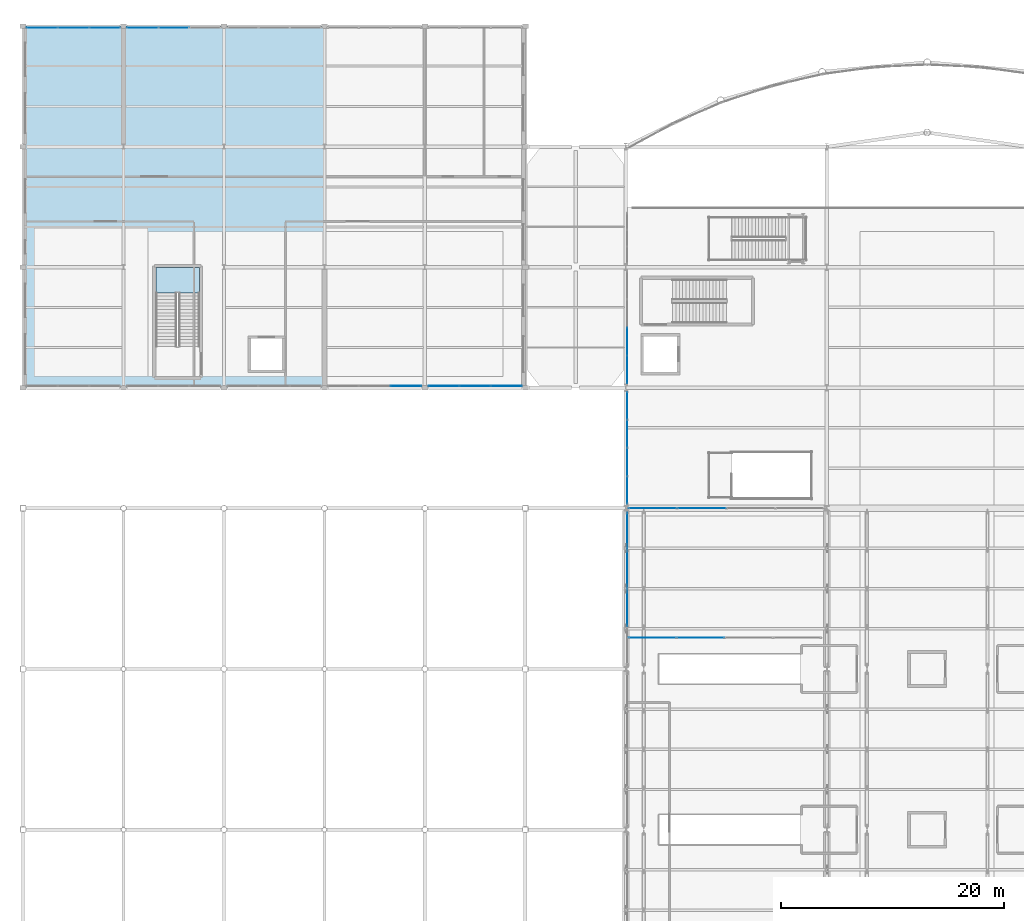
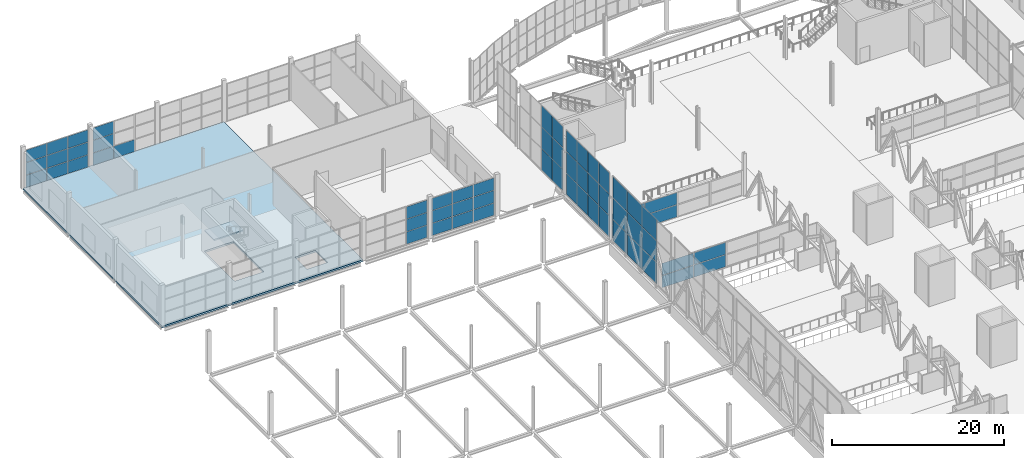
# One storey, part 152 of 191: 60 plates, 2 slabs, 10 elements without a shape of their own.
"""IFC4 building model written with IfcOpenShell, lengths in metres."""

from ifc_helpers import new_model, si_unit, direction, frame, origin, origin_2d, place, context, subcontext, project, spatial, polyline, rectangle, outline, extrude, material, layer, layer_set, type_object, element, aggregate, save


model = new_model("IFC4")

# Units and contexts
model_context = context("Model", 3, precision=1e-05, world=origin(), true_north=direction((0.0, 1.0)))
body_context = subcontext(model_context, "Body", "Model", "MODEL_VIEW")
ifc_project = project(units=[si_unit("LENGTHUNIT", "METRE"), si_unit("AREAUNIT", "SQUARE_METRE"), si_unit("VOLUMEUNIT", "CUBIC_METRE"), si_unit("PLANEANGLEUNIT", "RADIAN"), si_unit("MASSUNIT", "GRAM", prefix="KILO")], contexts=[model_context])

# Site, building, storey
site_placement = place(None, origin())
site = spatial("IfcSite", under=ifc_project, at=site_placement, CompositionType="ELEMENT")
building_placement = place(site_placement, origin())
building = spatial("IfcBuilding", under=site, at=building_placement, Name="Tamarisk Ironworks Central Station", CompositionType="ELEMENT")
storey_placement = place(building_placement, frame((0.0, 0.0, 6.60009765625)))
storey = spatial("IfcBuildingStorey", under=building, at=storey_placement, Name="L01", CompositionType="ELEMENT", Elevation=6.60009765625)

# Curtain wall, plates
ifc_material_1 = material(Name="Anodized aluminium alloy 6063-T6", Category="aluminium")
ifc_layer_1 = layer(ifc_material_1, 0.179931640625)
ifc_layer_set_1 = layer_set([ifc_layer_1], Name="Anodized aluminium alloy 6063-T6")
curtain_wall_type_1 = type_object("IfcCurtainWallType", Name="CW-24", PredefinedType="USERDEFINED", material=ifc_layer_set_1)
curtain_wall_1_placement = place(storey_placement, origin())
curtain_wall_1 = element("IfcCurtainWall", 1, at=curtain_wall_1_placement, inside=storey, type_object=curtain_wall_type_1, Name="North bridge west glazed acoustic screen", ObjectType="GLAZED CURTAIN WALL", PredefinedType="USERDEFINED")
ifc_material_2 = material(Name="Laminated solar-control low-E glass", Category="glass")
ifc_layer_2 = layer(ifc_material_2, 0.02001953125)
ifc_layer_set_2 = layer_set([ifc_layer_2], Name="Laminated solar-control low-E glass")
plate_type_1 = type_object("IfcPlateType", Name="PL-CWP20", PredefinedType="CURTAIN_PANEL", material=ifc_layer_set_2)
plate_1_placement = place(storey_placement, frame((56.41943359375, 79.199951171875, 0.06884765625), z_axis=(0.0, 0.0, 1.0), x_axis=(1.0, 0.0, 0.0)))
plate_1 = element("IfcPlate", 2, at=plate_1_placement, type_object=plate_type_1, Name="CW24 panel 1.1", PredefinedType="CURTAIN_PANEL", context=body_context, shape_type="SweptSolid", body=[
    extrude(rectangle(XDim=4.299072265625, YDim=0.02001953125, at=origin_2d()), origin(), (0.0, 0.0, 1.0), 1.699462890625),
])
plate_2_placement = place(storey_placement, frame((56.41943359375, 79.199951171875, 1.83154296875), z_axis=(0.0, 0.0, 1.0), x_axis=(1.0, 0.0, 0.0)))
plate_2 = element("IfcPlate", 3, at=plate_2_placement, type_object=plate_type_1, Name="CW24 panel 1.2", PredefinedType="CURTAIN_PANEL", context=body_context, shape_type="SweptSolid", body=[
    extrude(rectangle(XDim=4.299072265625, YDim=0.02001953125, at=origin_2d()), origin(), (0.0, 0.0, 1.0), 1.699462890625),
])
plate_3_placement = place(storey_placement, frame((60.80029296875, 79.199951171875, 0.06884765625), z_axis=(0.0, 0.0, 1.0), x_axis=(1.0, 0.0, 0.0)))
plate_3 = element("IfcPlate", 4, at=plate_3_placement, type_object=plate_type_1, Name="CW24 panel 2.1", PredefinedType="CURTAIN_PANEL", context=body_context, shape_type="SweptSolid", body=[
    extrude(rectangle(XDim=4.33642578125, YDim=0.02001953125, at=origin_2d()), origin(), (0.0, 0.0, 1.0), 1.699462890625),
])
plate_4_placement = place(storey_placement, frame((60.80029296875, 79.199951171875, 1.83154296875), z_axis=(0.0, 0.0, 1.0), x_axis=(1.0, 0.0, 0.0)))
plate_4 = element("IfcPlate", 5, at=plate_4_placement, type_object=plate_type_1, Name="CW24 panel 2.2", PredefinedType="CURTAIN_PANEL", context=body_context, shape_type="SweptSolid", body=[
    extrude(rectangle(XDim=4.33642578125, YDim=0.02001953125, at=origin_2d()), origin(), (0.0, 0.0, 1.0), 1.699462890625),
])
aggregate(curtain_wall_1, [plate_1, plate_2, plate_3, plate_4])

curtain_wall_2_placement = place(storey_placement, origin())
curtain_wall_2 = element("IfcCurtainWall", 6, at=curtain_wall_2_placement, inside=storey, type_object=curtain_wall_type_1, Name="North bridge trackside west glazed screen", ObjectType="GLAZED CURTAIN WALL", PredefinedType="USERDEFINED")
plate_5_placement = place(storey_placement, frame((56.38818359375, 67.60009765625, 0.06884765625), z_axis=(0.0, 0.0, 1.0), x_axis=(1.0, 0.0, 0.0)))
plate_5 = element("IfcPlate", 7, at=plate_5_placement, type_object=plate_type_1, Name="CW24 panel 1.1", PredefinedType="CURTAIN_PANEL", context=body_context, shape_type="SweptSolid", body=[
    extrude(rectangle(XDim=4.222412109375, YDim=0.02001953125, at=origin_2d()), origin(), (0.0, 0.0, 1.0), 1.699462890625),
])
plate_6_placement = place(storey_placement, frame((56.38818359375, 67.60009765625, 1.83154296875), z_axis=(0.0, 0.0, 1.0), x_axis=(1.0, 0.0, 0.0)))
plate_6 = element("IfcPlate", 8, at=plate_6_placement, type_object=plate_type_1, Name="CW24 panel 1.2", PredefinedType="CURTAIN_PANEL", context=body_context, shape_type="SweptSolid", body=[
    extrude(rectangle(XDim=4.222412109375, YDim=0.02001953125, at=origin_2d()), origin(), (0.0, 0.0, 1.0), 1.699462890625),
])
plate_7_placement = place(storey_placement, frame((60.6923828125, 67.60009765625, 0.06884765625), z_axis=(0.0, 0.0, 1.0), x_axis=(1.0, 0.0, 0.0)))
plate_7 = element("IfcPlate", 9, at=plate_7_placement, type_object=plate_type_1, Name="CW24 panel 2.1", PredefinedType="CURTAIN_PANEL", context=body_context, shape_type="SweptSolid", body=[
    extrude(rectangle(XDim=4.260009765625, YDim=0.02001953125, at=origin_2d()), origin(), (0.0, 0.0, 1.0), 1.699462890625),
])
plate_8_placement = place(storey_placement, frame((60.6923828125, 67.60009765625, 1.83154296875), z_axis=(0.0, 0.0, 1.0), x_axis=(1.0, 0.0, 0.0)))
plate_8 = element("IfcPlate", 10, at=plate_8_placement, type_object=plate_type_1, Name="CW24 panel 2.2", PredefinedType="CURTAIN_PANEL", context=body_context, shape_type="SweptSolid", body=[
    extrude(rectangle(XDim=4.260009765625, YDim=0.02001953125, at=origin_2d()), origin(), (0.0, 0.0, 1.0), 1.699462890625),
])
aggregate(curtain_wall_2, [plate_5, plate_6, plate_7, plate_8])

ifc_layer_3 = layer(ifc_material_1, 0.179931640625)
ifc_layer_set_3 = layer_set([ifc_layer_3], Name="Anodized aluminium alloy 6063-T6")
curtain_wall_type_2 = type_object("IfcCurtainWallType", Name="CW-08", PredefinedType="USERDEFINED", material=ifc_layer_set_3)
curtain_wall_3_placement = place(storey_placement, origin())
curtain_wall_3 = element("IfcCurtainWall", 11, at=curtain_wall_3_placement, inside=storey, type_object=curtain_wall_type_2, Name="Concourse W track-overlook curtain wall 07", ObjectType="GLAZED CURTAIN WALL", PredefinedType="USERDEFINED")
ifc_layer_4 = layer(ifc_material_1, 0.02392578125)
ifc_layer_set_4 = layer_set([ifc_layer_4], Name="Anodized aluminium alloy 6063-T6")
plate_type_2 = type_object("IfcPlateType", Name="PL-CWP24", PredefinedType="CURTAIN_PANEL", material=ifc_layer_set_4)
plate_9_placement = place(storey_placement, frame((54.1201171875, 91.62744140625, 0.0537109375), z_axis=(0.0, 0.0, 1.0), x_axis=(0.0, 1.0, 0.0)))
plate_9 = element("IfcPlate", 12, at=plate_9_placement, type_object=plate_type_2, Name="CW08 panel 1.1", PredefinedType="CURTAIN_PANEL", context=body_context, shape_type="SweptSolid", body=[
    extrude(rectangle(XDim=2.447021484375, YDim=0.02392578125, at=origin_2d()), origin(), (0.0, 0.0, 1.0), 2.995361328125),
])
plate_10_placement = place(storey_placement, frame((54.1201171875, 91.62744140625, 3.09716796875), z_axis=(0.0, 0.0, 1.0), x_axis=(0.0, 1.0, 0.0)))
plate_10 = element("IfcPlate", 13, at=plate_10_placement, type_object=plate_type_2, Name="CW08 panel 1.2", PredefinedType="CURTAIN_PANEL", context=body_context, shape_type="SweptSolid", body=[
    extrude(rectangle(XDim=2.447021484375, YDim=0.02392578125, at=origin_2d()), origin(), (0.0, 0.0, 1.0), 3.025390625),
])
plate_11_placement = place(storey_placement, frame((54.1201171875, 91.62744140625, 6.17041015625), z_axis=(0.0, 0.0, 1.0), x_axis=(0.0, 1.0, 0.0)))
plate_11 = element("IfcPlate", 14, at=plate_11_placement, type_object=plate_type_2, Name="CW08 panel 1.3", PredefinedType="CURTAIN_PANEL", context=body_context, shape_type="SweptSolid", body=[
    extrude(rectangle(XDim=2.447021484375, YDim=0.02392578125, at=origin_2d()), origin(), (0.0, 0.0, 1.0), 2.995361328125),
])
plate_12_placement = place(storey_placement, frame((54.1201171875, 94.137451171875, 0.0537109375), z_axis=(0.0, 0.0, 1.0), x_axis=(0.0, 1.0, 0.0)))
plate_12 = element("IfcPlate", 15, at=plate_12_placement, type_object=plate_type_2, Name="CW08 panel 2.1", PredefinedType="CURTAIN_PANEL", context=body_context, shape_type="SweptSolid", body=[
    extrude(rectangle(XDim=2.47705078125, YDim=0.02392578125, at=origin_2d()), origin(), (0.0, 0.0, 1.0), 2.995361328125),
])
plate_13_placement = place(storey_placement, frame((54.1201171875, 94.137451171875, 3.09716796875), z_axis=(0.0, 0.0, 1.0), x_axis=(0.0, 1.0, 0.0)))
plate_13 = element("IfcPlate", 16, at=plate_13_placement, type_object=plate_type_2, Name="CW08 panel 2.2", PredefinedType="CURTAIN_PANEL", context=body_context, shape_type="SweptSolid", body=[
    extrude(rectangle(XDim=2.47705078125, YDim=0.02392578125, at=origin_2d()), origin(), (0.0, 0.0, 1.0), 3.025390625),
])
plate_14_placement = place(storey_placement, frame((54.1201171875, 94.137451171875, 6.17041015625), z_axis=(0.0, 0.0, 1.0), x_axis=(0.0, 1.0, 0.0)))
plate_14 = element("IfcPlate", 17, at=plate_14_placement, type_object=plate_type_2, Name="CW08 panel 2.3", PredefinedType="CURTAIN_PANEL", context=body_context, shape_type="SweptSolid", body=[
    extrude(rectangle(XDim=2.47705078125, YDim=0.02392578125, at=origin_2d()), origin(), (0.0, 0.0, 1.0), 2.995361328125),
])
aggregate(curtain_wall_3, [plate_9, plate_10, plate_11, plate_12, plate_13, plate_14])

ifc_layer_5 = layer(ifc_material_1, 0.179931640625)
ifc_layer_set_5 = layer_set([ifc_layer_5], Name="Anodized aluminium alloy 6063-T6")
curtain_wall_type_3 = type_object("IfcCurtainWallType", Name="CW-06", PredefinedType="USERDEFINED", material=ifc_layer_set_5)
curtain_wall_4_placement = place(storey_placement, origin())
curtain_wall_4 = element("IfcCurtainWall", 18, at=curtain_wall_4_placement, inside=storey, type_object=curtain_wall_type_3, Name="Concourse W track-overlook curtain wall 05", ObjectType="GLAZED CURTAIN WALL", PredefinedType="USERDEFINED")
ifc_layer_6 = layer(ifc_material_2, 0.028076171875)
ifc_layer_set_6 = layer_set([ifc_layer_6], Name="Laminated solar-control low-E glass")
plate_type_3 = type_object("IfcPlateType", Name="PL-CWP28", PredefinedType="CURTAIN_PANEL", material=ifc_layer_set_6)
plate_15_placement = place(storey_placement, frame((54.1201171875, 70.28759765625, 0.06884765625), z_axis=(0.0, 0.0, 1.0), x_axis=(0.0, 1.0, 0.0)))
plate_15 = element("IfcPlate", 19, at=plate_15_placement, type_object=plate_type_3, Name="CW06 panel 2.1", PredefinedType="CURTAIN_PANEL", context=body_context, shape_type="SweptSolid", body=[
    extrude(rectangle(XDim=3.362060546875, YDim=0.028076171875, at=origin_2d()), origin(), (0.0, 0.0, 1.0), 2.972900390625),
])
plate_16_placement = place(storey_placement, frame((54.1201171875, 70.28759765625, 3.1044921875), z_axis=(0.0, 0.0, 1.0), x_axis=(0.0, 1.0, 0.0)))
plate_16 = element("IfcPlate", 20, at=plate_16_placement, type_object=plate_type_3, Name="CW06 panel 2.2", PredefinedType="CURTAIN_PANEL", context=body_context, shape_type="SweptSolid", body=[
    extrude(rectangle(XDim=3.362060546875, YDim=0.028076171875, at=origin_2d()), origin(), (0.0, 0.0, 1.0), 3.010498046875),
])
plate_17_placement = place(storey_placement, frame((54.1201171875, 70.28759765625, 6.17822265625), z_axis=(0.0, 0.0, 1.0), x_axis=(0.0, 1.0, 0.0)))
plate_17 = element("IfcPlate", 21, at=plate_17_placement, type_object=plate_type_3, Name="CW06 panel 2.3", PredefinedType="CURTAIN_PANEL", context=body_context, shape_type="SweptSolid", body=[
    extrude(rectangle(XDim=3.362060546875, YDim=0.028076171875, at=origin_2d()), origin(), (0.0, 0.0, 1.0), 2.972900390625),
])
plate_18_placement = place(storey_placement, frame((54.1201171875, 73.71240234375, 0.06884765625), z_axis=(0.0, 0.0, 1.0), x_axis=(0.0, 1.0, 0.0)))
plate_18 = element("IfcPlate", 22, at=plate_18_placement, type_object=plate_type_3, Name="CW06 panel 3.1", PredefinedType="CURTAIN_PANEL", context=body_context, shape_type="SweptSolid", body=[
    extrude(rectangle(XDim=3.362060546875, YDim=0.028076171875, at=origin_2d()), origin(), (0.0, 0.0, 1.0), 2.972900390625),
])
plate_19_placement = place(storey_placement, frame((54.1201171875, 73.71240234375, 3.1044921875), z_axis=(0.0, 0.0, 1.0), x_axis=(0.0, 1.0, 0.0)))
plate_19 = element("IfcPlate", 23, at=plate_19_placement, type_object=plate_type_3, Name="CW06 panel 3.2", PredefinedType="CURTAIN_PANEL", context=body_context, shape_type="SweptSolid", body=[
    extrude(rectangle(XDim=3.362060546875, YDim=0.028076171875, at=origin_2d()), origin(), (0.0, 0.0, 1.0), 3.010498046875),
])
plate_20_placement = place(storey_placement, frame((54.1201171875, 73.71240234375, 6.17822265625), z_axis=(0.0, 0.0, 1.0), x_axis=(0.0, 1.0, 0.0)))
plate_20 = element("IfcPlate", 24, at=plate_20_placement, type_object=plate_type_3, Name="CW06 panel 3.3", PredefinedType="CURTAIN_PANEL", context=body_context, shape_type="SweptSolid", body=[
    extrude(rectangle(XDim=3.362060546875, YDim=0.028076171875, at=origin_2d()), origin(), (0.0, 0.0, 1.0), 2.972900390625),
])
plate_21_placement = place(storey_placement, frame((54.1201171875, 77.11865234375, 0.06884765625), z_axis=(0.0, 0.0, 1.0), x_axis=(0.0, 1.0, 0.0)))
plate_21 = element("IfcPlate", 25, at=plate_21_placement, type_object=plate_type_3, Name="CW06 panel 4.1", PredefinedType="CURTAIN_PANEL", context=body_context, shape_type="SweptSolid", body=[
    extrude(rectangle(XDim=3.324462890625, YDim=0.028076171875, at=origin_2d()), origin(), (0.0, 0.0, 1.0), 2.972900390625),
])
plate_22_placement = place(storey_placement, frame((54.1201171875, 77.11865234375, 3.1044921875), z_axis=(0.0, 0.0, 1.0), x_axis=(0.0, 1.0, 0.0)))
plate_22 = element("IfcPlate", 26, at=plate_22_placement, type_object=plate_type_3, Name="CW06 panel 4.2", PredefinedType="CURTAIN_PANEL", context=body_context, shape_type="SweptSolid", body=[
    extrude(rectangle(XDim=3.324462890625, YDim=0.028076171875, at=origin_2d()), origin(), (0.0, 0.0, 1.0), 3.010498046875),
])
plate_23_placement = place(storey_placement, frame((54.1201171875, 77.11865234375, 6.17822265625), z_axis=(0.0, 0.0, 1.0), x_axis=(0.0, 1.0, 0.0)))
plate_23 = element("IfcPlate", 27, at=plate_23_placement, type_object=plate_type_3, Name="CW06 panel 4.3", PredefinedType="CURTAIN_PANEL", context=body_context, shape_type="SweptSolid", body=[
    extrude(rectangle(XDim=3.324462890625, YDim=0.028076171875, at=origin_2d()), origin(), (0.0, 0.0, 1.0), 2.972900390625),
])
aggregate(curtain_wall_4, [plate_15, plate_16, plate_17, plate_18, plate_19, plate_20, plate_21, plate_22, plate_23])

ifc_layer_7 = layer(ifc_material_1, 0.179931640625)
ifc_layer_set_7 = layer_set([ifc_layer_7], Name="Anodized aluminium alloy 6063-T6")
curtain_wall_type_4 = type_object("IfcCurtainWallType", Name="CW-07", PredefinedType="USERDEFINED", material=ifc_layer_set_7)
curtain_wall_5_placement = place(storey_placement, origin())
curtain_wall_5 = element("IfcCurtainWall", 28, at=curtain_wall_5_placement, inside=storey, type_object=curtain_wall_type_4, Name="Concourse W track-overlook curtain wall 06", ObjectType="GLAZED CURTAIN WALL", PredefinedType="USERDEFINED")
plate_24_placement = place(storey_placement, frame((54.1201171875, 80.828857421875, 0.058837890625), z_axis=(0.0, 0.0, 1.0), x_axis=(0.0, 1.0, 0.0)))
plate_24 = element("IfcPlate", 29, at=plate_24_placement, type_object=plate_type_3, Name="CW07 panel 1.1", PredefinedType="CURTAIN_PANEL", context=body_context, shape_type="SweptSolid", body=[
    extrude(rectangle(XDim=2.439453125, YDim=0.028076171875, at=origin_2d()), origin(), (0.0, 0.0, 1.0), 2.98779296875),
])
plate_25_placement = place(storey_placement, frame((54.1201171875, 80.828857421875, 3.099609375), z_axis=(0.0, 0.0, 1.0), x_axis=(0.0, 1.0, 0.0)))
plate_25 = element("IfcPlate", 30, at=plate_25_placement, type_object=plate_type_3, Name="CW07 panel 1.2", PredefinedType="CURTAIN_PANEL", context=body_context, shape_type="SweptSolid", body=[
    extrude(rectangle(XDim=2.439453125, YDim=0.028076171875, at=origin_2d()), origin(), (0.0, 0.0, 1.0), 3.0205078125),
])
plate_26_placement = place(storey_placement, frame((54.1201171875, 80.828857421875, 6.173095703125), z_axis=(0.0, 0.0, 1.0), x_axis=(0.0, 1.0, 0.0)))
plate_26 = element("IfcPlate", 31, at=plate_26_placement, type_object=plate_type_3, Name="CW07 panel 1.3", PredefinedType="CURTAIN_PANEL", context=body_context, shape_type="SweptSolid", body=[
    extrude(rectangle(XDim=2.439453125, YDim=0.028076171875, at=origin_2d()), origin(), (0.0, 0.0, 1.0), 2.98779296875),
])
plate_27_placement = place(storey_placement, frame((54.1201171875, 83.33740234375, 0.058837890625), z_axis=(0.0, 0.0, 1.0), x_axis=(0.0, 1.0, 0.0)))
plate_27 = element("IfcPlate", 32, at=plate_27_placement, type_object=plate_type_3, Name="CW07 panel 2.1", PredefinedType="CURTAIN_PANEL", context=body_context, shape_type="SweptSolid", body=[
    extrude(rectangle(XDim=2.471923828125, YDim=0.028076171875, at=origin_2d()), origin(), (0.0, 0.0, 1.0), 2.98779296875),
])
plate_28_placement = place(storey_placement, frame((54.1201171875, 83.33740234375, 3.099609375), z_axis=(0.0, 0.0, 1.0), x_axis=(0.0, 1.0, 0.0)))
plate_28 = element("IfcPlate", 33, at=plate_28_placement, type_object=plate_type_3, Name="CW07 panel 2.2", PredefinedType="CURTAIN_PANEL", context=body_context, shape_type="SweptSolid", body=[
    extrude(rectangle(XDim=2.471923828125, YDim=0.028076171875, at=origin_2d()), origin(), (0.0, 0.0, 1.0), 3.0205078125),
])
plate_29_placement = place(storey_placement, frame((54.1201171875, 83.33740234375, 6.173095703125), z_axis=(0.0, 0.0, 1.0), x_axis=(0.0, 1.0, 0.0)))
plate_29 = element("IfcPlate", 34, at=plate_29_placement, type_object=plate_type_3, Name="CW07 panel 2.3", PredefinedType="CURTAIN_PANEL", context=body_context, shape_type="SweptSolid", body=[
    extrude(rectangle(XDim=2.471923828125, YDim=0.028076171875, at=origin_2d()), origin(), (0.0, 0.0, 1.0), 2.98779296875),
])
plate_30_placement = place(storey_placement, frame((54.1201171875, 85.862548828125, 0.058837890625), z_axis=(0.0, 0.0, 1.0), x_axis=(0.0, 1.0, 0.0)))
plate_30 = element("IfcPlate", 35, at=plate_30_placement, type_object=plate_type_3, Name="CW07 panel 3.1", PredefinedType="CURTAIN_PANEL", context=body_context, shape_type="SweptSolid", body=[
    extrude(rectangle(XDim=2.471923828125, YDim=0.028076171875, at=origin_2d()), origin(), (0.0, 0.0, 1.0), 2.98779296875),
])
plate_31_placement = place(storey_placement, frame((54.1201171875, 85.862548828125, 3.099609375), z_axis=(0.0, 0.0, 1.0), x_axis=(0.0, 1.0, 0.0)))
plate_31 = element("IfcPlate", 36, at=plate_31_placement, type_object=plate_type_3, Name="CW07 panel 3.2", PredefinedType="CURTAIN_PANEL", context=body_context, shape_type="SweptSolid", body=[
    extrude(rectangle(XDim=2.471923828125, YDim=0.028076171875, at=origin_2d()), origin(), (0.0, 0.0, 1.0), 3.0205078125),
])
plate_32_placement = place(storey_placement, frame((54.1201171875, 85.862548828125, 6.173095703125), z_axis=(0.0, 0.0, 1.0), x_axis=(0.0, 1.0, 0.0)))
plate_32 = element("IfcPlate", 37, at=plate_32_placement, type_object=plate_type_3, Name="CW07 panel 3.3", PredefinedType="CURTAIN_PANEL", context=body_context, shape_type="SweptSolid", body=[
    extrude(rectangle(XDim=2.471923828125, YDim=0.028076171875, at=origin_2d()), origin(), (0.0, 0.0, 1.0), 2.98779296875),
])
plate_33_placement = place(storey_placement, frame((54.1201171875, 88.371337890625, 0.058837890625), z_axis=(0.0, 0.0, 1.0), x_axis=(0.0, 1.0, 0.0)))
plate_33 = element("IfcPlate", 38, at=plate_33_placement, type_object=plate_type_3, Name="CW07 panel 4.1", PredefinedType="CURTAIN_PANEL", context=body_context, shape_type="SweptSolid", body=[
    extrude(rectangle(XDim=2.439453125, YDim=0.028076171875, at=origin_2d()), origin(), (0.0, 0.0, 1.0), 2.98779296875),
])
plate_34_placement = place(storey_placement, frame((54.1201171875, 88.371337890625, 3.099609375), z_axis=(0.0, 0.0, 1.0), x_axis=(0.0, 1.0, 0.0)))
plate_34 = element("IfcPlate", 39, at=plate_34_placement, type_object=plate_type_3, Name="CW07 panel 4.2", PredefinedType="CURTAIN_PANEL", context=body_context, shape_type="SweptSolid", body=[
    extrude(rectangle(XDim=2.439453125, YDim=0.028076171875, at=origin_2d()), origin(), (0.0, 0.0, 1.0), 3.0205078125),
])
plate_35_placement = place(storey_placement, frame((54.1201171875, 88.371337890625, 6.173095703125), z_axis=(0.0, 0.0, 1.0), x_axis=(0.0, 1.0, 0.0)))
plate_35 = element("IfcPlate", 40, at=plate_35_placement, type_object=plate_type_3, Name="CW07 panel 4.3", PredefinedType="CURTAIN_PANEL", context=body_context, shape_type="SweptSolid", body=[
    extrude(rectangle(XDim=2.439453125, YDim=0.028076171875, at=origin_2d()), origin(), (0.0, 0.0, 1.0), 2.98779296875),
])
aggregate(curtain_wall_5, [plate_24, plate_25, plate_26, plate_27, plate_28, plate_29, plate_30, plate_31, plate_32, plate_33, plate_34, plate_35])

ifc_layer_8 = layer(ifc_material_1, 0.179931640625)
ifc_layer_set_8 = layer_set([ifc_layer_8], Name="Anodized aluminium alloy 6063-T6")
curtain_wall_type_5 = type_object("IfcCurtainWallType", Name="CW-13", PredefinedType="USERDEFINED", material=ifc_layer_set_8)
curtain_wall_6_placement = place(storey_placement, origin())
curtain_wall_6 = element("IfcCurtainWall", 41, at=curtain_wall_6_placement, inside=storey, type_object=curtain_wall_type_5, Name="Pavilion L01 N glazed arcade 00", ObjectType="GLAZED CURTAIN WALL", PredefinedType="USERDEFINED")
plate_36_placement = place(storey_placement, frame((1.6982421875, 122.25, 0.058837890625), z_axis=(0.0, 0.0, 1.0), x_axis=(1.0, 0.0, 0.0)))
plate_36 = element("IfcPlate", 42, at=plate_36_placement, type_object=plate_type_3, Name="CW13 panel 1.1", PredefinedType="CURTAIN_PANEL", context=body_context, shape_type="SweptSolid", body=[
    extrude(rectangle(XDim=2.732421875, YDim=0.028076171875, at=origin_2d()), origin(), (0.0, 0.0, 1.0), 1.72119140625),
])
plate_37_placement = place(storey_placement, frame((1.6982421875, 122.25, 1.8330078125), z_axis=(0.0, 0.0, 1.0), x_axis=(1.0, 0.0, 0.0)))
plate_37 = element("IfcPlate", 43, at=plate_37_placement, type_object=plate_type_3, Name="CW13 panel 1.2", PredefinedType="CURTAIN_PANEL", context=body_context, shape_type="SweptSolid", body=[
    extrude(rectangle(XDim=2.732421875, YDim=0.028076171875, at=origin_2d()), origin(), (0.0, 0.0, 1.0), 1.753662109375),
])
plate_38_placement = place(storey_placement, frame((1.6982421875, 122.25, 3.6396484375), z_axis=(0.0, 0.0, 1.0), x_axis=(1.0, 0.0, 0.0)))
plate_38 = element("IfcPlate", 44, at=plate_38_placement, type_object=plate_type_3, Name="CW13 panel 1.3", PredefinedType="CURTAIN_PANEL", context=body_context, shape_type="SweptSolid", body=[
    extrude(rectangle(XDim=2.732421875, YDim=0.028076171875, at=origin_2d()), origin(), (0.0, 0.0, 1.0), 1.72119140625),
])
plate_39_placement = place(storey_placement, frame((4.5, 122.25, 0.058837890625), z_axis=(0.0, 0.0, 1.0), x_axis=(1.0, 0.0, 0.0)))
plate_39 = element("IfcPlate", 45, at=plate_39_placement, type_object=plate_type_3, Name="CW13 panel 2.1", PredefinedType="CURTAIN_PANEL", context=body_context, shape_type="SweptSolid", body=[
    extrude(rectangle(XDim=2.764892578125, YDim=0.028076171875, at=origin_2d()), origin(), (0.0, 0.0, 1.0), 1.72119140625),
])
plate_40_placement = place(storey_placement, frame((4.5, 122.25, 1.8330078125), z_axis=(0.0, 0.0, 1.0), x_axis=(1.0, 0.0, 0.0)))
plate_40 = element("IfcPlate", 46, at=plate_40_placement, type_object=plate_type_3, Name="CW13 panel 2.2", PredefinedType="CURTAIN_PANEL", context=body_context, shape_type="SweptSolid", body=[
    extrude(rectangle(XDim=2.764892578125, YDim=0.028076171875, at=origin_2d()), origin(), (0.0, 0.0, 1.0), 1.753662109375),
])
plate_41_placement = place(storey_placement, frame((4.5, 122.25, 3.6396484375), z_axis=(0.0, 0.0, 1.0), x_axis=(1.0, 0.0, 0.0)))
plate_41 = element("IfcPlate", 47, at=plate_41_placement, type_object=plate_type_3, Name="CW13 panel 2.3", PredefinedType="CURTAIN_PANEL", context=body_context, shape_type="SweptSolid", body=[
    extrude(rectangle(XDim=2.764892578125, YDim=0.028076171875, at=origin_2d()), origin(), (0.0, 0.0, 1.0), 1.72119140625),
])
plate_42_placement = place(storey_placement, frame((7.3017578125, 122.25, 0.058837890625), z_axis=(0.0, 0.0, 1.0), x_axis=(1.0, 0.0, 0.0)))
plate_42 = element("IfcPlate", 48, at=plate_42_placement, type_object=plate_type_3, Name="CW13 panel 3.1", PredefinedType="CURTAIN_PANEL", context=body_context, shape_type="SweptSolid", body=[
    extrude(rectangle(XDim=2.732421875, YDim=0.028076171875, at=origin_2d()), origin(), (0.0, 0.0, 1.0), 1.72119140625),
])
plate_43_placement = place(storey_placement, frame((7.3017578125, 122.25, 1.8330078125), z_axis=(0.0, 0.0, 1.0), x_axis=(1.0, 0.0, 0.0)))
plate_43 = element("IfcPlate", 49, at=plate_43_placement, type_object=plate_type_3, Name="CW13 panel 3.2", PredefinedType="CURTAIN_PANEL", context=body_context, shape_type="SweptSolid", body=[
    extrude(rectangle(XDim=2.732421875, YDim=0.028076171875, at=origin_2d()), origin(), (0.0, 0.0, 1.0), 1.753662109375),
])
plate_44_placement = place(storey_placement, frame((7.3017578125, 122.25, 3.6396484375), z_axis=(0.0, 0.0, 1.0), x_axis=(1.0, 0.0, 0.0)))
plate_44 = element("IfcPlate", 50, at=plate_44_placement, type_object=plate_type_3, Name="CW13 panel 3.3", PredefinedType="CURTAIN_PANEL", context=body_context, shape_type="SweptSolid", body=[
    extrude(rectangle(XDim=2.732421875, YDim=0.028076171875, at=origin_2d()), origin(), (0.0, 0.0, 1.0), 1.72119140625),
])
aggregate(curtain_wall_6, [plate_36, plate_37, plate_38, plate_39, plate_40, plate_41, plate_42, plate_43, plate_44])

curtain_wall_7_placement = place(storey_placement, origin())
curtain_wall_7 = element("IfcCurtainWall", 51, at=curtain_wall_7_placement, inside=storey, type_object=curtain_wall_type_5, Name="Pavilion L01 N glazed arcade 09", ObjectType="GLAZED CURTAIN WALL", PredefinedType="USERDEFINED")
plate_45_placement = place(storey_placement, frame((10.6982421875, 122.25, 0.058837890625), z_axis=(0.0, 0.0, 1.0), x_axis=(1.0, 0.0, 0.0)))
plate_45 = element("IfcPlate", 52, at=plate_45_placement, type_object=plate_type_3, Name="CW13 panel 1.1", PredefinedType="CURTAIN_PANEL", context=body_context, shape_type="SweptSolid", body=[
    extrude(rectangle(XDim=2.732421875, YDim=0.028076171875, at=origin_2d()), origin(), (0.0, 0.0, 1.0), 1.72119140625),
])
plate_46_placement = place(storey_placement, frame((10.6982421875, 122.25, 1.8330078125), z_axis=(0.0, 0.0, 1.0), x_axis=(1.0, 0.0, 0.0)))
plate_46 = element("IfcPlate", 53, at=plate_46_placement, type_object=plate_type_3, Name="CW13 panel 1.2", PredefinedType="CURTAIN_PANEL", context=body_context, shape_type="SweptSolid", body=[
    extrude(rectangle(XDim=2.732421875, YDim=0.028076171875, at=origin_2d()), origin(), (0.0, 0.0, 1.0), 1.753662109375),
])
plate_47_placement = place(storey_placement, frame((10.6982421875, 122.25, 3.6396484375), z_axis=(0.0, 0.0, 1.0), x_axis=(1.0, 0.0, 0.0)))
plate_47 = element("IfcPlate", 54, at=plate_47_placement, type_object=plate_type_3, Name="CW13 panel 1.3", PredefinedType="CURTAIN_PANEL", context=body_context, shape_type="SweptSolid", body=[
    extrude(rectangle(XDim=2.732421875, YDim=0.028076171875, at=origin_2d()), origin(), (0.0, 0.0, 1.0), 1.72119140625),
])
plate_48_placement = place(storey_placement, frame((13.5, 122.25, 0.058837890625), z_axis=(0.0, 0.0, 1.0), x_axis=(1.0, 0.0, 0.0)))
plate_48 = element("IfcPlate", 55, at=plate_48_placement, type_object=plate_type_3, Name="CW13 panel 2.1", PredefinedType="CURTAIN_PANEL", context=body_context, shape_type="SweptSolid", body=[
    extrude(rectangle(XDim=2.764892578125, YDim=0.028076171875, at=origin_2d()), origin(), (0.0, 0.0, 1.0), 1.72119140625),
])
aggregate(curtain_wall_7, [plate_45, plate_46, plate_47, plate_48])

ifc_layer_9 = layer(ifc_material_1, 0.179931640625)
ifc_layer_set_9 = layer_set([ifc_layer_9], Name="Anodized aluminium alloy 6063-T6")
curtain_wall_type_6 = type_object("IfcCurtainWallType", Name="CW-10", PredefinedType="USERDEFINED", material=ifc_layer_set_9)
curtain_wall_8_placement = place(storey_placement, origin())
curtain_wall_8 = element("IfcCurtainWall", 56, at=curtain_wall_8_placement, inside=storey, type_object=curtain_wall_type_6, Name="Pavilion L01 S glazed arcade 27", ObjectType="GLAZED CURTAIN WALL", PredefinedType="USERDEFINED")
plate_49_placement = place(storey_placement, frame((34.3017578125, 90.14990234375, 0.058837890625), z_axis=(0.0, 0.0, 1.0), x_axis=(1.0, 0.0, 0.0)))
plate_49 = element("IfcPlate", 57, at=plate_49_placement, type_object=plate_type_3, Name="CW10 panel 3.1", PredefinedType="CURTAIN_PANEL", context=body_context, shape_type="SweptSolid", body=[
    extrude(rectangle(XDim=2.732421875, YDim=0.028076171875, at=origin_2d()), origin(), (0.0, 0.0, 1.0), 1.72119140625),
])
plate_50_placement = place(storey_placement, frame((34.3017578125, 90.14990234375, 1.8330078125), z_axis=(0.0, 0.0, 1.0), x_axis=(1.0, 0.0, 0.0)))
plate_50 = element("IfcPlate", 58, at=plate_50_placement, type_object=plate_type_3, Name="CW10 panel 3.2", PredefinedType="CURTAIN_PANEL", context=body_context, shape_type="SweptSolid", body=[
    extrude(rectangle(XDim=2.732421875, YDim=0.028076171875, at=origin_2d()), origin(), (0.0, 0.0, 1.0), 1.753662109375),
])
plate_51_placement = place(storey_placement, frame((34.3017578125, 90.14990234375, 3.6396484375), z_axis=(0.0, 0.0, 1.0), x_axis=(1.0, 0.0, 0.0)))
plate_51 = element("IfcPlate", 59, at=plate_51_placement, type_object=plate_type_3, Name="CW10 panel 3.3", PredefinedType="CURTAIN_PANEL", context=body_context, shape_type="SweptSolid", body=[
    extrude(rectangle(XDim=2.732421875, YDim=0.028076171875, at=origin_2d()), origin(), (0.0, 0.0, 1.0), 1.72119140625),
])
aggregate(curtain_wall_8, [plate_49, plate_50, plate_51])

curtain_wall_9_placement = place(storey_placement, origin())
curtain_wall_9 = element("IfcCurtainWall", 60, at=curtain_wall_9_placement, inside=storey, type_object=curtain_wall_type_6, Name="Pavilion L01 S glazed arcade 36", ObjectType="GLAZED CURTAIN WALL", PredefinedType="USERDEFINED")
plate_52_placement = place(storey_placement, frame((37.6982421875, 90.14990234375, 0.058837890625), z_axis=(0.0, 0.0, 1.0), x_axis=(1.0, 0.0, 0.0)))
plate_52 = element("IfcPlate", 61, at=plate_52_placement, type_object=plate_type_3, Name="CW10 panel 1.1", PredefinedType="CURTAIN_PANEL", context=body_context, shape_type="SweptSolid", body=[
    extrude(rectangle(XDim=2.732421875, YDim=0.028076171875, at=origin_2d()), origin(), (0.0, 0.0, 1.0), 1.72119140625),
])
plate_53_placement = place(storey_placement, frame((37.6982421875, 90.14990234375, 1.8330078125), z_axis=(0.0, 0.0, 1.0), x_axis=(1.0, 0.0, 0.0)))
plate_53 = element("IfcPlate", 62, at=plate_53_placement, type_object=plate_type_3, Name="CW10 panel 1.2", PredefinedType="CURTAIN_PANEL", context=body_context, shape_type="SweptSolid", body=[
    extrude(rectangle(XDim=2.732421875, YDim=0.028076171875, at=origin_2d()), origin(), (0.0, 0.0, 1.0), 1.753662109375),
])
plate_54_placement = place(storey_placement, frame((37.6982421875, 90.14990234375, 3.6396484375), z_axis=(0.0, 0.0, 1.0), x_axis=(1.0, 0.0, 0.0)))
plate_54 = element("IfcPlate", 63, at=plate_54_placement, type_object=plate_type_3, Name="CW10 panel 1.3", PredefinedType="CURTAIN_PANEL", context=body_context, shape_type="SweptSolid", body=[
    extrude(rectangle(XDim=2.732421875, YDim=0.028076171875, at=origin_2d()), origin(), (0.0, 0.0, 1.0), 1.72119140625),
])
plate_55_placement = place(storey_placement, frame((40.5, 90.14990234375, 0.058837890625), z_axis=(0.0, 0.0, 1.0), x_axis=(1.0, 0.0, 0.0)))
plate_55 = element("IfcPlate", 64, at=plate_55_placement, type_object=plate_type_3, Name="CW10 panel 2.1", PredefinedType="CURTAIN_PANEL", context=body_context, shape_type="SweptSolid", body=[
    extrude(rectangle(XDim=2.764892578125, YDim=0.028076171875, at=origin_2d()), origin(), (0.0, 0.0, 1.0), 1.72119140625),
])
plate_56_placement = place(storey_placement, frame((40.5, 90.14990234375, 1.8330078125), z_axis=(0.0, 0.0, 1.0), x_axis=(1.0, 0.0, 0.0)))
plate_56 = element("IfcPlate", 65, at=plate_56_placement, type_object=plate_type_3, Name="CW10 panel 2.2", PredefinedType="CURTAIN_PANEL", context=body_context, shape_type="SweptSolid", body=[
    extrude(rectangle(XDim=2.764892578125, YDim=0.028076171875, at=origin_2d()), origin(), (0.0, 0.0, 1.0), 1.753662109375),
])
plate_57_placement = place(storey_placement, frame((40.5, 90.14990234375, 3.6396484375), z_axis=(0.0, 0.0, 1.0), x_axis=(1.0, 0.0, 0.0)))
plate_57 = element("IfcPlate", 66, at=plate_57_placement, type_object=plate_type_3, Name="CW10 panel 2.3", PredefinedType="CURTAIN_PANEL", context=body_context, shape_type="SweptSolid", body=[
    extrude(rectangle(XDim=2.764892578125, YDim=0.028076171875, at=origin_2d()), origin(), (0.0, 0.0, 1.0), 1.72119140625),
])
plate_58_placement = place(storey_placement, frame((43.3017578125, 90.14990234375, 0.058837890625), z_axis=(0.0, 0.0, 1.0), x_axis=(1.0, 0.0, 0.0)))
plate_58 = element("IfcPlate", 67, at=plate_58_placement, type_object=plate_type_3, Name="CW10 panel 3.1", PredefinedType="CURTAIN_PANEL", context=body_context, shape_type="SweptSolid", body=[
    extrude(rectangle(XDim=2.732421875, YDim=0.028076171875, at=origin_2d()), origin(), (0.0, 0.0, 1.0), 1.72119140625),
])
plate_59_placement = place(storey_placement, frame((43.3017578125, 90.14990234375, 1.8330078125), z_axis=(0.0, 0.0, 1.0), x_axis=(1.0, 0.0, 0.0)))
plate_59 = element("IfcPlate", 68, at=plate_59_placement, type_object=plate_type_3, Name="CW10 panel 3.2", PredefinedType="CURTAIN_PANEL", context=body_context, shape_type="SweptSolid", body=[
    extrude(rectangle(XDim=2.732421875, YDim=0.028076171875, at=origin_2d()), origin(), (0.0, 0.0, 1.0), 1.753662109375),
])
plate_60_placement = place(storey_placement, frame((43.3017578125, 90.14990234375, 3.6396484375), z_axis=(0.0, 0.0, 1.0), x_axis=(1.0, 0.0, 0.0)))
plate_60 = element("IfcPlate", 69, at=plate_60_placement, type_object=plate_type_3, Name="CW10 panel 3.3", PredefinedType="CURTAIN_PANEL", context=body_context, shape_type="SweptSolid", body=[
    extrude(rectangle(XDim=2.732421875, YDim=0.028076171875, at=origin_2d()), origin(), (0.0, 0.0, 1.0), 1.72119140625),
])
aggregate(curtain_wall_9, [plate_52, plate_53, plate_54, plate_55, plate_56, plate_57, plate_58, plate_59, plate_60])

# Slab
ifc_material_3 = material(Name="Concrete C35/45", Category="concrete")
ifc_layer_10 = layer(ifc_material_3, 0.25)
ifc_layer_set_10 = layer_set([ifc_layer_10], Name="Concrete C35/45")
slab_type_1 = type_object("IfcSlabType", Name="SL-FL250", PredefinedType="FLOOR", material=ifc_layer_set_10)
slab_1_placement = place(storey_placement, frame((0.0, 0.0, -0.25)))
element("IfcSlab", 70, at=slab_1_placement, inside=storey, type_object=slab_type_1, Name="L01 Suspended Floor Slab V4-A", PredefinedType="FLOOR", context=body_context, shape_type="SweptSolid", body=[
    extrude(outline(polyline([(0.0, 90.0), (27.0, 90.0), (27.0, 122.39990234375), (0.0, 122.39990234375), (0.0, 90.0)]), holes=[polyline([(15.800048828125, 93.699951171875), (15.800048828125, 100.75), (11.89990234375, 100.75), (11.89990234375, 93.699951171875), (15.800048828125, 93.699951171875)]), polyline([(20.39990234375, 91.60009765625), (23.199951171875, 91.60009765625), (23.199951171875, 94.39990234375), (20.39990234375, 94.39990234375), (20.39990234375, 91.60009765625)])]), origin(), (0.0, 0.0, 1.0), 0.25),
])

# Stair, slab
stair_type = type_object("IfcStairType", Name="ST-CORE-C", PredefinedType="HALF_TURN_STAIR", material=ifc_material_3)
stair_placement = place(storey_placement, origin())
stair = element("IfcStair", 71, at=stair_placement, inside=storey, type_object=stair_type, Name="L01 Retail Pavilion Exit Stair Core 6", PredefinedType="HALF_TURN_STAIR")
ifc_layer_11 = layer(ifc_material_3, 0.215087890625)
ifc_layer_set_11 = layer_set([ifc_layer_11], Name="Concrete C35/45")
slab_type_2 = type_object("IfcSlabType", Name="SL-LD220", PredefinedType="LANDING", material=ifc_layer_set_11)
slab_2_placement = place(storey_placement, frame((0.0, 0.0, 2.7998046875)))
slab_2 = element("IfcSlab", 72, at=slab_2_placement, type_object=slab_type_2, Name="ST-C6 landing 1", PredefinedType="LANDING", context=body_context, shape_type="SweptSolid", body=[
    extrude(outline(polyline([(15.800048828125, 98.5), (15.800048828125, 100.75), (11.89990234375, 100.75), (11.89990234375, 98.5), (15.800048828125, 98.5)])), origin(), (0.0, 0.0, 1.0), 0.2001953125),
])
aggregate(stair, [slab_2])

save(model, "model.ifc")
